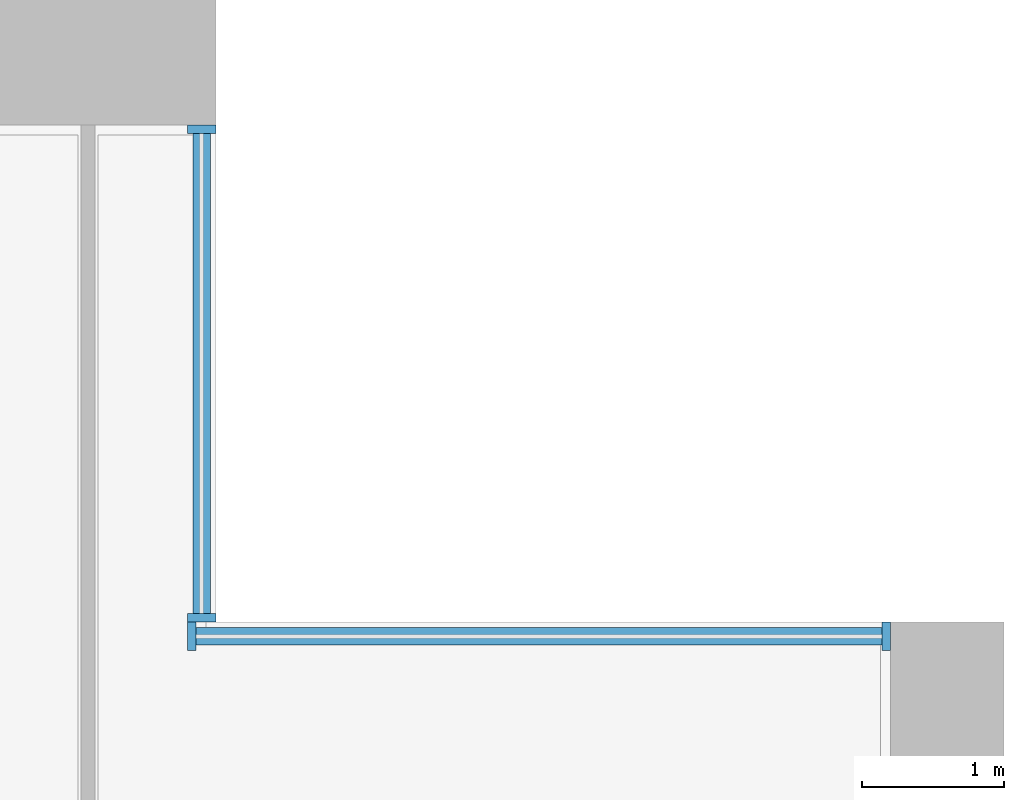
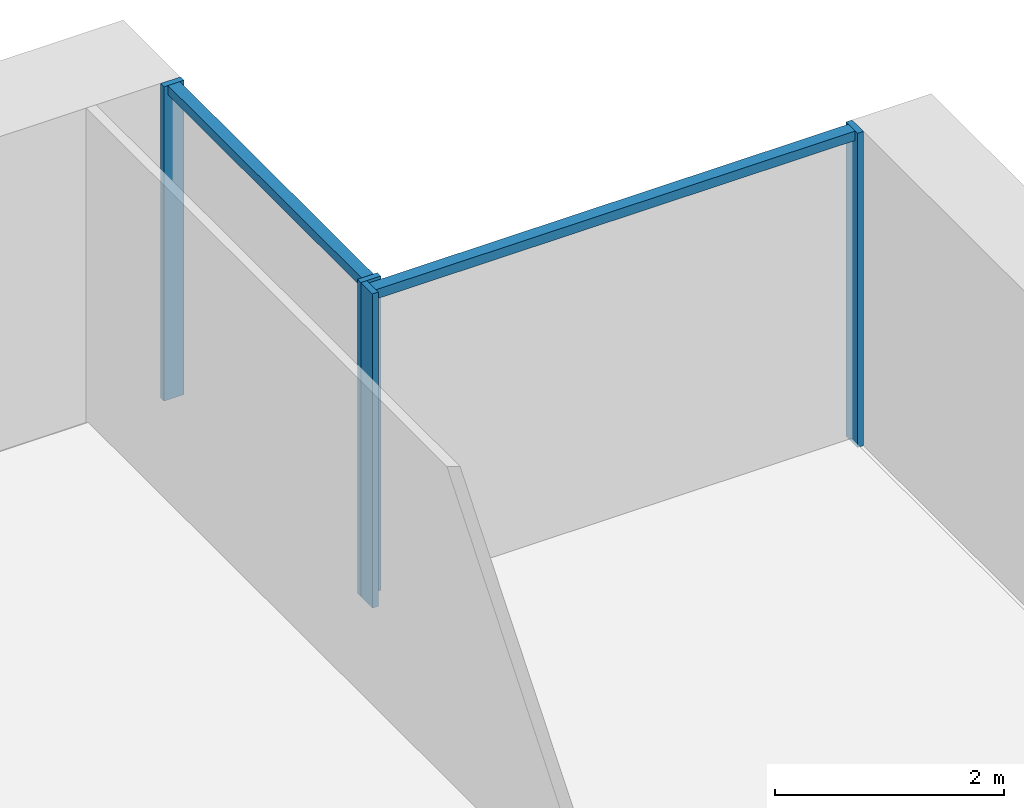
# One storey, part 6 of 18: 6 members, 2 elements without a shape of their own.
"""IFC4 building model written with IfcOpenShell, lengths in metres."""

from ifc_helpers import new_model, si_unit, direction, frame, origin, origin_2d, place, context, subcontext, project, spatial, rectangle, extrude, material, material_profile, profile_set, type_object, element, aggregate, save


model = new_model("IFC4")

# Units and contexts
model_context = context("Model", 3, precision=1e-05, world=origin(), true_north=direction((0.0, 1.0)))
body_context = subcontext(model_context, "Body", "Model", "MODEL_VIEW")
ifc_project = project(units=[si_unit("LENGTHUNIT", "METRE"), si_unit("AREAUNIT", "SQUARE_METRE"), si_unit("VOLUMEUNIT", "CUBIC_METRE"), si_unit("PLANEANGLEUNIT", "RADIAN"), si_unit("MASSUNIT", "GRAM", prefix="KILO")], contexts=[model_context])

# Site, building, storey
site_placement = place(None, origin())
site = spatial("IfcSite", under=ifc_project, at=site_placement, CompositionType="ELEMENT")
building_placement = place(site_placement, origin())
building = spatial("IfcBuilding", under=site, at=building_placement, Name="Calvaro Tower", CompositionType="ELEMENT")
storey_placement = place(building_placement, frame((0.0, 0.0, 78.75)))
storey = spatial("IfcBuildingStorey", under=building, at=storey_placement, Name="L19", CompositionType="ELEMENT", Elevation=78.75)

# Curtain wall, members
ifc_material_1 = material(Name="Anodised aluminium", Category="aluminium")
curtain_wall_type = type_object("IfcCurtainWallType", Name="Office curtain wall, lower zone", PredefinedType="NOTDEFINED", material=ifc_material_1)
curtain_wall_1_placement = place(storey_placement, origin())
curtain_wall_1 = element("IfcCurtainWall", 1, at=curtain_wall_1_placement, inside=storey, type_object=curtain_wall_type, Name="CW1 corner curtain wall", PredefinedType="NOTDEFINED")
ifc_material_2 = material(Name="Anodised aluminium", Category="aluminium")
ifc_material_profile_1 = material_profile(ifc_material_2, rectangle(XDim=0.199951171875, YDim=0.06005859375, at=origin_2d()), Name="Mullion S1 60 x 200")
ifc_profile_set_1 = profile_set([ifc_material_profile_1], Name="Anodised aluminium")
member_type_1 = type_object("IfcMemberType", Name="Mullion S1 60 x 200", PredefinedType="MULLION", material=ifc_profile_set_1)
member_1_placement = place(storey_placement, frame((72.35009765625, 41.530029296875, 0.0), z_axis=(0.0, 0.0, 1.0), x_axis=(-1.0, 0.0, 0.0)))
member_1 = element("IfcMember", 2, at=member_1_placement, type_object=member_type_1, Name="CW1 mullion 1", PredefinedType="MULLION", context=body_context, shape_type="SweptSolid", body=[
    extrude(rectangle(XDim=0.199951171875, YDim=0.06005859375, at=origin_2d()), origin(), (0.0, 0.0, 1.0), 3.35009765625),
])
member_2_placement = place(storey_placement, frame((72.35009765625, 44.969970703125, 0.0), z_axis=(0.0, 0.0, 1.0), x_axis=(-1.0, 0.0, 0.0)))
member_2 = element("IfcMember", 3, at=member_2_placement, type_object=member_type_1, Name="CW1 mullion 2", PredefinedType="MULLION", context=body_context, shape_type="SweptSolid", body=[
    extrude(rectangle(XDim=0.199951171875, YDim=0.06005859375, at=origin_2d()), origin(), (0.0, 0.0, 1.0), 3.35009765625),
])

curtain_wall_2_placement = place(storey_placement, origin())
curtain_wall_2 = element("IfcCurtainWall", 4, at=curtain_wall_2_placement, inside=storey, type_object=curtain_wall_type, Name="CW1 corner curtain wall", PredefinedType="NOTDEFINED")
member_3_placement = place(storey_placement, frame((72.280029296875, 41.39990234375, 0.0), z_axis=(0.0, 0.0, 1.0), x_axis=(0.0, 1.0, 0.0)))
member_3 = element("IfcMember", 5, at=member_3_placement, type_object=member_type_1, Name="CW1 mullion 1", PredefinedType="MULLION", context=body_context, shape_type="SweptSolid", body=[
    extrude(rectangle(XDim=0.199951171875, YDim=0.06005859375, at=origin_2d()), origin(), (0.0, 0.0, 1.0), 3.35009765625),
])
member_4_placement = place(storey_placement, frame((77.169921875, 41.39990234375, 0.0), z_axis=(0.0, 0.0, 1.0), x_axis=(0.0, 1.0, 0.0)))
member_4 = element("IfcMember", 6, at=member_4_placement, type_object=member_type_1, Name="CW1 mullion 2", PredefinedType="MULLION", context=body_context, shape_type="SweptSolid", body=[
    extrude(rectangle(XDim=0.199951171875, YDim=0.06005859375, at=origin_2d()), origin(), (0.0, 0.0, 1.0), 3.35009765625),
])

# Member
ifc_material_3 = material(Name="Anodised aluminium", Category="aluminium")
ifc_material_profile_2 = material_profile(ifc_material_3, rectangle(XDim=0.1201171875, YDim=0.10009765625, at=origin_2d()), Name="Transom S1 100 x 120")
ifc_profile_set_2 = profile_set([ifc_material_profile_2], Name="Anodised aluminium")
member_type_2 = type_object("IfcMemberType", Name="Transom S1 100 x 120", PredefinedType="USERDEFINED", material=ifc_profile_set_2)
member_5_placement = place(storey_placement, frame((72.35009765625, 41.56005859375, 3.300048828125), z_axis=(0.0, 1.0, 0.0), x_axis=(-1.0, 0.0, 0.0)))
member_5 = element("IfcMember", 7, at=member_5_placement, type_object=member_type_2, Name="CW1 transom 1.1", ObjectType="TRANSOM", PredefinedType="USERDEFINED", context=body_context, shape_type="SweptSolid", body=[
    extrude(rectangle(XDim=0.1201171875, YDim=0.10009765625, at=origin_2d()), origin(), (0.0, 0.0, 1.0), 3.3798828125),
])

aggregate(curtain_wall_1, [member_1, member_2, member_5])

member_6_placement = place(storey_placement, frame((72.31005859375, 41.39990234375, 3.300048828125), z_axis=(1.0, 0.0, 0.0), x_axis=(0.0, 1.0, 0.0)))
member_6 = element("IfcMember", 8, at=member_6_placement, type_object=member_type_2, Name="CW1 transom 1.1", ObjectType="TRANSOM", PredefinedType="USERDEFINED", context=body_context, shape_type="SweptSolid", body=[
    extrude(rectangle(XDim=0.1201171875, YDim=0.10009765625, at=origin_2d()), origin(), (0.0, 0.0, 1.0), 4.829833984375),
])

aggregate(curtain_wall_2, [member_3, member_4, member_6])

save(model, "model.ifc")
